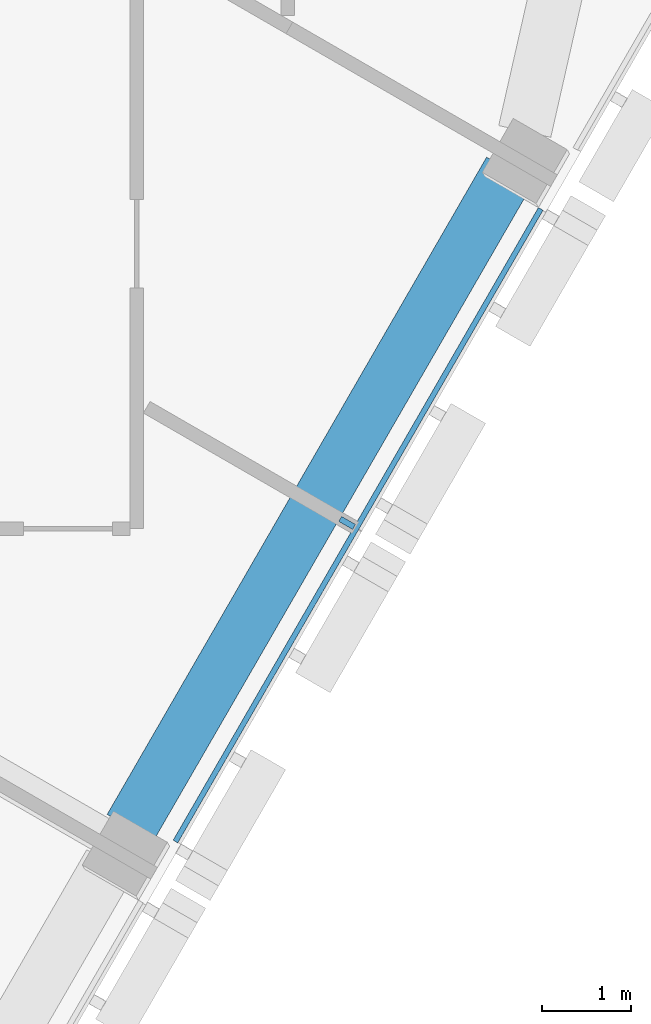
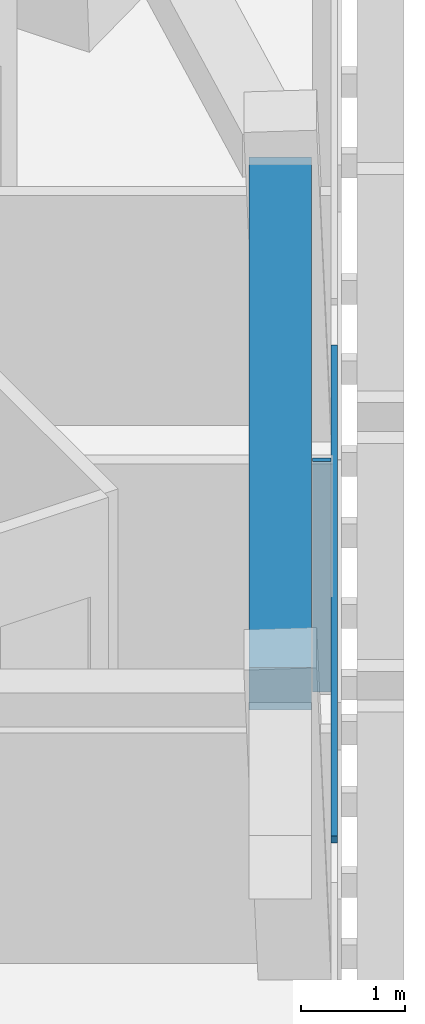
# One storey, part 4 of 14: 2 members, 1 beam, 1 element without a shape of its own.
"""IFC4 building model written with IfcOpenShell, lengths in metres."""

from ifc_helpers import new_model, si_unit, direction, frame, origin, origin_2d, place, context, subcontext, project, spatial, rectangle, extrude, material, layer, layer_set, material_profile, profile_set, type_object, element, aggregate, save


model = new_model("IFC4")

# Units and contexts
model_context = context("Model", 3, precision=1e-05, world=origin(), true_north=direction((0.0, 1.0)))
body_context = subcontext(model_context, "Body", "Model", "MODEL_VIEW")
ifc_project = project(units=[si_unit("LENGTHUNIT", "METRE"), si_unit("AREAUNIT", "SQUARE_METRE"), si_unit("VOLUMEUNIT", "CUBIC_METRE"), si_unit("PLANEANGLEUNIT", "RADIAN"), si_unit("MASSUNIT", "GRAM", prefix="KILO")], contexts=[model_context])

# Site, building, storey
site_placement = place(None, origin())
site = spatial("IfcSite", under=ifc_project, at=site_placement, CompositionType="ELEMENT")
building_placement = place(site_placement, origin())
building = spatial("IfcBuilding", under=site, at=building_placement, Name="Altiplano Prism Tower", CompositionType="ELEMENT")
storey_placement = place(building_placement, frame((0.0, 0.0, 268.0)))
storey = spatial("IfcBuildingStorey", under=building, at=storey_placement, Name="L69", CompositionType="ELEMENT", Elevation=268.0)

# Curtain wall, members
ifc_material_1 = material(Name="Aluminium and glass", Category="aluminium")
ifc_layer = layer(ifc_material_1, 0.280029296875)
ifc_layer_set = layer_set([ifc_layer], Name="Aluminium and glass")
curtain_wall_type = type_object("IfcCurtainWallType", Name="CW1 typical co-living unitised curtain wall", PredefinedType="NOTDEFINED", material=ifc_layer_set)
curtain_wall_placement = place(storey_placement, origin())
curtain_wall = element("IfcCurtainWall", 1, at=curtain_wall_placement, inside=storey, type_object=curtain_wall_type, Name="CW1 curtain wall south-east face L69", PredefinedType="NOTDEFINED")
ifc_material_2 = material(Name="Aluminium", Category="aluminium")
ifc_material_profile_1 = material_profile(ifc_material_2, rectangle(XDim=0.179931640625, YDim=0.06494140625, at=origin_2d()), Name="CW1 mullion 65 x 180")
ifc_profile_set_1 = profile_set([ifc_material_profile_1], Name="Aluminium")
member_type_1 = type_object("IfcMemberType", Name="CW1 mullion 65 x 180", PredefinedType="MULLION", material=ifc_profile_set_1)
member_1_placement = place(storey_placement, frame((102.167236328125, 90.6640625, 0.0), z_axis=(0.0, 0.0, 1.0), x_axis=(-0.866025408191, 0.499999992367, 0.0)))
member_1 = element("IfcMember", 2, at=member_1_placement, type_object=member_type_1, Name="CW1 mullion", PredefinedType="MULLION", context=body_context, shape_type="SweptSolid", body=[
    extrude(rectangle(XDim=0.179931640625, YDim=0.06494140625, at=origin_2d()), origin(), (0.0, 0.0, 1.0), 2.699951171875),
])
ifc_material_profile_2 = material_profile(ifc_material_2, rectangle(XDim=0.06005859375, YDim=0.080078125, at=origin_2d()), Name="CW1 transom 80 x 60")
ifc_profile_set_2 = profile_set([ifc_material_profile_2], Name="Aluminium")
member_type_2 = type_object("IfcMemberType", Name="CW1 transom 80 x 60", PredefinedType="USERDEFINED", material=ifc_profile_set_2)
member_2_placement = place(storey_placement, frame((100.23583984375, 87.0791015625, 1.10009765625), z_axis=(0.499991554064, 0.866030279993, 0.0), x_axis=(-0.866030279993, 0.499991554064, 0.0)))
member_2 = element("IfcMember", 3, at=member_2_placement, type_object=member_type_2, Name="CW1 transom", ObjectType="TRANSOM", PredefinedType="USERDEFINED", context=body_context, shape_type="SweptSolid", body=[
    extrude(rectangle(XDim=0.06005859375, YDim=0.080078125, at=origin_2d()), origin(), (0.0, 0.0, 1.0), 8.219970703125),
])
aggregate(curtain_wall, [member_1, member_2])

# Beam
ifc_material_3 = material(Name="Concrete C60/75", Category="concrete")
ifc_material_profile_3 = material_profile(ifc_material_3, rectangle(XDim=0.60009765625, YDim=0.5, at=origin_2d()), Name="Edge beam 600x500")
ifc_profile_set_3 = profile_set([ifc_material_profile_3], Name="Concrete C60/75")
beam_type = type_object("IfcBeamType", Name="Edge beam 600x500", PredefinedType="SPANDREL", material=ifc_profile_set_3)
beam_placement = place(storey_placement, frame((99.72705078125, 87.234619140625, 2.949951171875), z_axis=(0.499994660107, 0.866028486751, 0.0), x_axis=(-0.866028486751, 0.499994660107, 0.0)))
element("IfcBeam", 4, at=beam_placement, inside=storey, type_object=beam_type, Name="Edge beam P23-P24 L70", PredefinedType="SPANDREL", context=body_context, shape_type="SweptSolid", body=[
    extrude(rectangle(XDim=0.60009765625, YDim=0.5, at=origin_2d()), origin(), (0.0, 0.0, 1.0), 8.5400390625),
])

save(model, "model.ifc")
